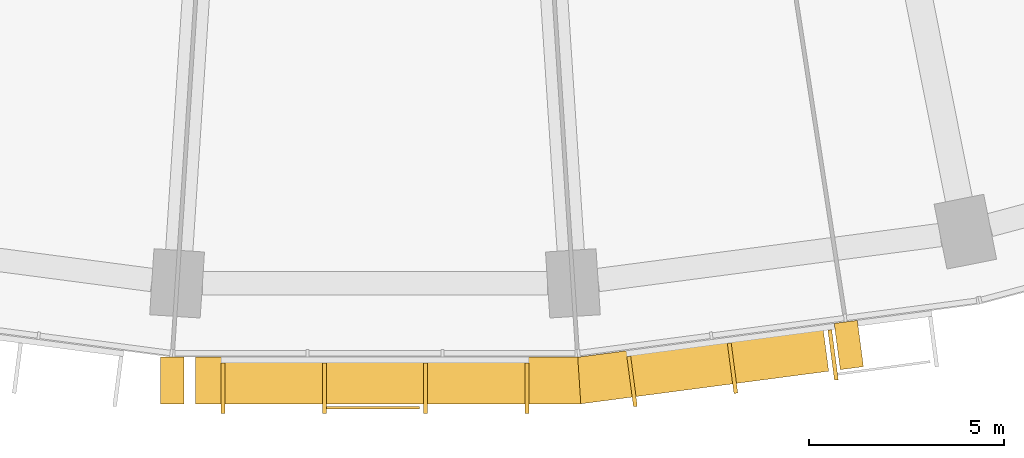
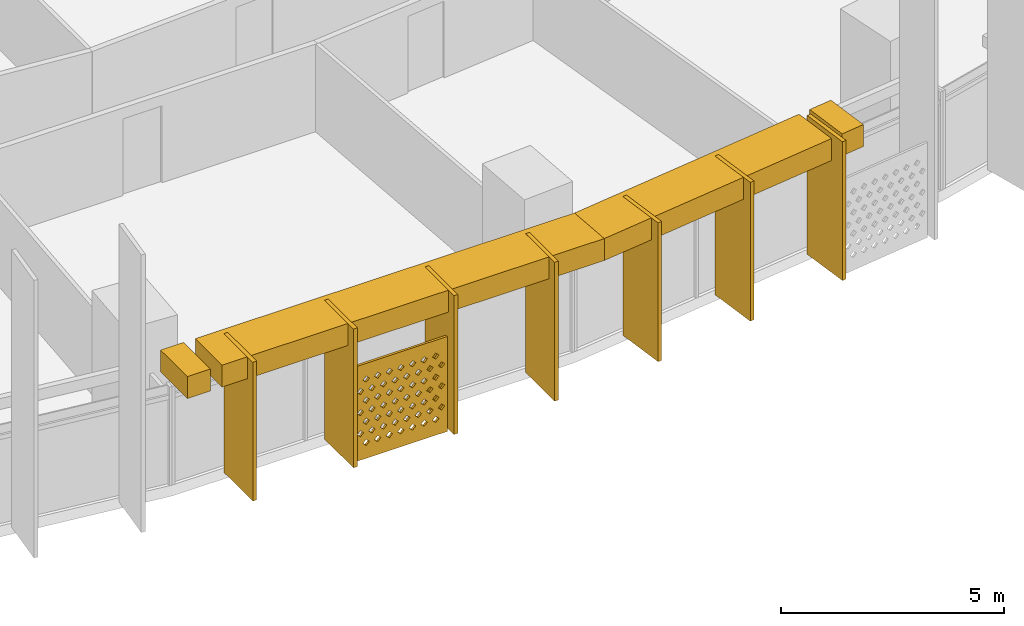
# One storey, part 29 of 32: 12 shading devices.
"""IFC4 building model written with IfcOpenShell, lengths in metres."""

from ifc_helpers import new_model, si_unit, direction, frame, origin, origin_2d, place, context, subcontext, project, spatial, polyline, rectangle, outline, extrude, material, material_profile, profile_set, type_object, element, save


model = new_model("IFC4")

# Units and contexts
model_context = context("Model", 3, precision=1e-05, world=origin(), true_north=direction((0.0, 1.0)))
body_context = subcontext(model_context, "Body", "Model", "MODEL_VIEW")
ifc_project = project(units=[si_unit("LENGTHUNIT", "METRE"), si_unit("AREAUNIT", "SQUARE_METRE"), si_unit("VOLUMEUNIT", "CUBIC_METRE"), si_unit("PLANEANGLEUNIT", "RADIAN"), si_unit("MASSUNIT", "GRAM", prefix="KILO")], contexts=[model_context])

# Site, building, storey
site_placement = place(None, origin())
site = spatial("IfcSite", under=ifc_project, at=site_placement, CompositionType="ELEMENT")
building_placement = place(site_placement, origin())
building = spatial("IfcBuilding", under=site, at=building_placement, Name="Qamariyya Broadcast Tower", CompositionType="ELEMENT")
storey_placement = place(building_placement, frame((0.0, 0.0, 63.300048828125)))
storey = spatial("IfcBuildingStorey", under=building, at=storey_placement, Name="L12", CompositionType="ELEMENT", Elevation=63.300048828125)

# Shading devices
ifc_material_1 = material(Name="Steel S355 powder coated deep red", Category="steel")
shading_device_type_1 = type_object("IfcShadingDeviceType", Name="Deep red frame, powder coated steel box section", PredefinedType="USERDEFINED", material=ifc_material_1)
shading_device_1_placement = place(storey_placement, frame((0.0, 0.0, 3.199951171875)))
element("IfcShadingDevice", 1, at=shading_device_1_placement, inside=storey, type_object=shading_device_type_1, Name="e-frm-B1-F3-posta-L12", ObjectType="FRAME", PredefinedType="USERDEFINED", context=body_context, shape_type="SweptSolid", body=[
    extrude(outline(polyline([(-5.50927734375, -79.4794921875), (-5.50927734375, -80.679443359375), (-4.909423828125, -80.679443359375), (-4.909423828125, -79.4794921875), (-5.50927734375, -79.4794921875)])), origin(), (0.0, 0.0, 1.0), 0.60009765625),
])
shading_device_2_placement = place(storey_placement, frame((0.0, 0.0, 3.199951171875)))
element("IfcShadingDevice", 2, at=shading_device_2_placement, inside=storey, type_object=shading_device_type_1, Name="e-frm-B1-F3-postb-L12", ObjectType="FRAME", PredefinedType="USERDEFINED", context=body_context, shape_type="SweptSolid", body=[
    extrude(outline(polyline([(11.79833984375, -78.612060546875), (11.954833984375, -79.8017578125), (12.5498046875, -79.723388671875), (12.39306640625, -78.53369140625), (11.79833984375, -78.612060546875)])), origin(), (0.0, 0.0, 1.0), 0.60009765625),
])
shading_device_3_placement = place(storey_placement, frame((0.0, 0.0, 3.199951171875)))
element("IfcShadingDevice", 3, at=shading_device_3_placement, inside=storey, type_object=shading_device_type_1, Name="e-frm-B1-F3-bot0", ObjectType="FRAME", PredefinedType="USERDEFINED", context=body_context, shape_type="SweptSolid", body=[
    extrude(outline(polyline([(-4.609375, -79.4794921875), (-4.609375, -80.679443359375), (5.2880859375, -80.679443359375), (5.20947265625, -79.4794921875), (-4.609375, -79.4794921875)])), origin(), (0.0, 0.0, 1.0), 0.60009765625),
])
shading_device_4_placement = place(storey_placement, frame((0.0, 0.0, 3.199951171875)))
element("IfcShadingDevice", 4, at=shading_device_4_placement, inside=storey, type_object=shading_device_type_1, Name="e-frm-B1-F3-bot1", ObjectType="FRAME", PredefinedType="USERDEFINED", context=body_context, shape_type="SweptSolid", body=[
    extrude(outline(polyline([(5.20947265625, -79.4794921875), (5.2880859375, -80.679443359375), (11.657470703125, -79.8408203125), (11.5009765625, -78.651123046875), (5.20947265625, -79.4794921875)])), origin(), (0.0, 0.0, 1.0), 0.60009765625),
])
ifc_material_2 = material(Name="Perforated glazed terracotta", Category="masonry")
ifc_material_profile_1 = material_profile(ifc_material_2, outline(polyline([(-1.199951171875, -1.300048828125), (1.199951171875, -1.300048828125), (1.199951171875, 1.300048828125), (-1.199951171875, 1.300048828125), (-1.199951171875, -1.300048828125)]), holes=[polyline([(-0.81494140625, -0.86669921875), (-0.89990234375, -0.78173828125), (-0.985107421875, -0.86669921875), (-0.89990234375, -0.95166015625), (-0.81494140625, -0.86669921875)]), polyline([(-0.514892578125, -0.86669921875), (-0.60009765625, -0.78173828125), (-0.68505859375, -0.86669921875), (-0.60009765625, -0.95166015625), (-0.514892578125, -0.86669921875)]), polyline([(-0.215087890625, -0.86669921875), (-0.300048828125, -0.78173828125), (-0.385009765625, -0.86669921875), (-0.300048828125, -0.95166015625), (-0.215087890625, -0.86669921875)]), polyline([(0.0849609375, -0.86669921875), (0.0, -0.78173828125), (-0.0849609375, -0.86669921875), (0.0, -0.95166015625), (0.0849609375, -0.86669921875)]), polyline([(0.385009765625, -0.86669921875), (0.300048828125, -0.78173828125), (0.215087890625, -0.86669921875), (0.300048828125, -0.95166015625), (0.385009765625, -0.86669921875)]), polyline([(0.68505859375, -0.86669921875), (0.60009765625, -0.78173828125), (0.514892578125, -0.86669921875), (0.60009765625, -0.95166015625), (0.68505859375, -0.86669921875)]), polyline([(0.985107421875, -0.86669921875), (0.89990234375, -0.78173828125), (0.81494140625, -0.86669921875), (0.89990234375, -0.95166015625), (0.985107421875, -0.86669921875)]), polyline([(-0.965087890625, -0.577880859375), (-1.050048828125, -0.49267578125), (-1.135009765625, -0.577880859375), (-1.050048828125, -0.662841796875), (-0.965087890625, -0.577880859375)]), polyline([(-0.6650390625, -0.577880859375), (-0.75, -0.49267578125), (-0.8349609375, -0.577880859375), (-0.75, -0.662841796875), (-0.6650390625, -0.577880859375)]), polyline([(-0.364990234375, -0.577880859375), (-0.449951171875, -0.49267578125), (-0.534912109375, -0.577880859375), (-0.449951171875, -0.662841796875), (-0.364990234375, -0.577880859375)]), polyline([(-0.06494140625, -0.577880859375), (-0.14990234375, -0.49267578125), (-0.235107421875, -0.577880859375), (-0.14990234375, -0.662841796875), (-0.06494140625, -0.577880859375)]), polyline([(0.235107421875, -0.577880859375), (0.14990234375, -0.49267578125), (0.06494140625, -0.577880859375), (0.14990234375, -0.662841796875), (0.235107421875, -0.577880859375)]), polyline([(0.534912109375, -0.577880859375), (0.449951171875, -0.49267578125), (0.364990234375, -0.577880859375), (0.449951171875, -0.662841796875), (0.534912109375, -0.577880859375)]), polyline([(0.8349609375, -0.577880859375), (0.75, -0.49267578125), (0.6650390625, -0.577880859375), (0.75, -0.662841796875), (0.8349609375, -0.577880859375)]), polyline([(1.135009765625, -0.577880859375), (1.050048828125, -0.49267578125), (0.965087890625, -0.577880859375), (1.050048828125, -0.662841796875), (1.135009765625, -0.577880859375)]), polyline([(-0.81494140625, -0.288818359375), (-0.89990234375, -0.203857421875), (-0.985107421875, -0.288818359375), (-0.89990234375, -0.373779296875), (-0.81494140625, -0.288818359375)]), polyline([(-0.514892578125, -0.288818359375), (-0.60009765625, -0.203857421875), (-0.68505859375, -0.288818359375), (-0.60009765625, -0.373779296875), (-0.514892578125, -0.288818359375)]), polyline([(-0.215087890625, -0.288818359375), (-0.300048828125, -0.203857421875), (-0.385009765625, -0.288818359375), (-0.300048828125, -0.373779296875), (-0.215087890625, -0.288818359375)]), polyline([(0.0849609375, -0.288818359375), (0.0, -0.203857421875), (-0.0849609375, -0.288818359375), (0.0, -0.373779296875), (0.0849609375, -0.288818359375)]), polyline([(0.385009765625, -0.288818359375), (0.300048828125, -0.203857421875), (0.215087890625, -0.288818359375), (0.300048828125, -0.373779296875), (0.385009765625, -0.288818359375)]), polyline([(0.68505859375, -0.288818359375), (0.60009765625, -0.203857421875), (0.514892578125, -0.288818359375), (0.60009765625, -0.373779296875), (0.68505859375, -0.288818359375)]), polyline([(0.985107421875, -0.288818359375), (0.89990234375, -0.203857421875), (0.81494140625, -0.288818359375), (0.89990234375, -0.373779296875), (0.985107421875, -0.288818359375)]), polyline([(-0.965087890625, 0.0), (-1.050048828125, 0.0849609375), (-1.135009765625, 0.0), (-1.050048828125, -0.0849609375), (-0.965087890625, 0.0)]), polyline([(-0.6650390625, 0.0), (-0.75, 0.0849609375), (-0.8349609375, 0.0), (-0.75, -0.0849609375), (-0.6650390625, 0.0)]), polyline([(-0.364990234375, 0.0), (-0.449951171875, 0.0849609375), (-0.534912109375, 0.0), (-0.449951171875, -0.0849609375), (-0.364990234375, 0.0)]), polyline([(-0.06494140625, 0.0), (-0.14990234375, 0.0849609375), (-0.235107421875, 0.0), (-0.14990234375, -0.0849609375), (-0.06494140625, 0.0)]), polyline([(0.235107421875, 0.0), (0.14990234375, 0.0849609375), (0.06494140625, 0.0), (0.14990234375, -0.0849609375), (0.235107421875, 0.0)]), polyline([(0.534912109375, 0.0), (0.449951171875, 0.0849609375), (0.364990234375, 0.0), (0.449951171875, -0.0849609375), (0.534912109375, 0.0)]), polyline([(0.8349609375, 0.0), (0.75, 0.0849609375), (0.6650390625, 0.0), (0.75, -0.0849609375), (0.8349609375, 0.0)]), polyline([(1.135009765625, 0.0), (1.050048828125, 0.0849609375), (0.965087890625, 0.0), (1.050048828125, -0.0849609375), (1.135009765625, 0.0)]), polyline([(-0.81494140625, 0.288818359375), (-0.89990234375, 0.373779296875), (-0.985107421875, 0.288818359375), (-0.89990234375, 0.203857421875), (-0.81494140625, 0.288818359375)]), polyline([(-0.514892578125, 0.288818359375), (-0.60009765625, 0.373779296875), (-0.68505859375, 0.288818359375), (-0.60009765625, 0.203857421875), (-0.514892578125, 0.288818359375)]), polyline([(-0.215087890625, 0.288818359375), (-0.300048828125, 0.373779296875), (-0.385009765625, 0.288818359375), (-0.300048828125, 0.203857421875), (-0.215087890625, 0.288818359375)]), polyline([(0.0849609375, 0.288818359375), (0.0, 0.373779296875), (-0.0849609375, 0.288818359375), (0.0, 0.203857421875), (0.0849609375, 0.288818359375)]), polyline([(0.385009765625, 0.288818359375), (0.300048828125, 0.373779296875), (0.215087890625, 0.288818359375), (0.300048828125, 0.203857421875), (0.385009765625, 0.288818359375)]), polyline([(0.68505859375, 0.288818359375), (0.60009765625, 0.373779296875), (0.514892578125, 0.288818359375), (0.60009765625, 0.203857421875), (0.68505859375, 0.288818359375)]), polyline([(0.985107421875, 0.288818359375), (0.89990234375, 0.373779296875), (0.81494140625, 0.288818359375), (0.89990234375, 0.203857421875), (0.985107421875, 0.288818359375)]), polyline([(-0.965087890625, 0.577880859375), (-1.050048828125, 0.662841796875), (-1.135009765625, 0.577880859375), (-1.050048828125, 0.49267578125), (-0.965087890625, 0.577880859375)]), polyline([(-0.6650390625, 0.577880859375), (-0.75, 0.662841796875), (-0.8349609375, 0.577880859375), (-0.75, 0.49267578125), (-0.6650390625, 0.577880859375)]), polyline([(-0.364990234375, 0.577880859375), (-0.449951171875, 0.662841796875), (-0.534912109375, 0.577880859375), (-0.449951171875, 0.49267578125), (-0.364990234375, 0.577880859375)]), polyline([(-0.06494140625, 0.577880859375), (-0.14990234375, 0.662841796875), (-0.235107421875, 0.577880859375), (-0.14990234375, 0.49267578125), (-0.06494140625, 0.577880859375)]), polyline([(0.235107421875, 0.577880859375), (0.14990234375, 0.662841796875), (0.06494140625, 0.577880859375), (0.14990234375, 0.49267578125), (0.235107421875, 0.577880859375)]), polyline([(0.534912109375, 0.577880859375), (0.449951171875, 0.662841796875), (0.364990234375, 0.577880859375), (0.449951171875, 0.49267578125), (0.534912109375, 0.577880859375)]), polyline([(0.8349609375, 0.577880859375), (0.75, 0.662841796875), (0.6650390625, 0.577880859375), (0.75, 0.49267578125), (0.8349609375, 0.577880859375)]), polyline([(1.135009765625, 0.577880859375), (1.050048828125, 0.662841796875), (0.965087890625, 0.577880859375), (1.050048828125, 0.49267578125), (1.135009765625, 0.577880859375)]), polyline([(-0.81494140625, 0.86669921875), (-0.89990234375, 0.95166015625), (-0.985107421875, 0.86669921875), (-0.89990234375, 0.78173828125), (-0.81494140625, 0.86669921875)]), polyline([(-0.514892578125, 0.86669921875), (-0.60009765625, 0.95166015625), (-0.68505859375, 0.86669921875), (-0.60009765625, 0.78173828125), (-0.514892578125, 0.86669921875)]), polyline([(-0.215087890625, 0.86669921875), (-0.300048828125, 0.95166015625), (-0.385009765625, 0.86669921875), (-0.300048828125, 0.78173828125), (-0.215087890625, 0.86669921875)]), polyline([(0.0849609375, 0.86669921875), (0.0, 0.95166015625), (-0.0849609375, 0.86669921875), (0.0, 0.78173828125), (0.0849609375, 0.86669921875)]), polyline([(0.385009765625, 0.86669921875), (0.300048828125, 0.95166015625), (0.215087890625, 0.86669921875), (0.300048828125, 0.78173828125), (0.385009765625, 0.86669921875)]), polyline([(0.68505859375, 0.86669921875), (0.60009765625, 0.95166015625), (0.514892578125, 0.86669921875), (0.60009765625, 0.78173828125), (0.68505859375, 0.86669921875)]), polyline([(0.985107421875, 0.86669921875), (0.89990234375, 0.95166015625), (0.81494140625, 0.86669921875), (0.89990234375, 0.78173828125), (0.985107421875, 0.86669921875)])]))
ifc_profile_set_1 = profile_set([ifc_material_profile_1], Name="Perforated glazed terracotta")
shading_device_type_2 = type_object("IfcShadingDeviceType", Name="Perforated terracotta screen 2400 x 2600", PredefinedType="USERDEFINED", material=ifc_profile_set_1)
shading_device_5_placement = place(storey_placement, frame((-0.05224609375, -80.74951171875, 1.349853515625), z_axis=(0.0, -1.0, 0.0), x_axis=(1.0, 0.0, 0.0)))
element("IfcShadingDevice", 5, at=shading_device_5_placement, inside=storey, type_object=shading_device_type_2, Name="e-scr-L12-08-1", ObjectType="SCREEN", PredefinedType="USERDEFINED", context=body_context, shape_type="SweptSolid", body=[
    extrude(outline(polyline([(-1.199951171875, -1.300048828125), (1.199951171875, -1.300048828125), (1.199951171875, 1.300048828125), (-1.199951171875, 1.300048828125), (-1.199951171875, -1.300048828125)]), holes=[polyline([(-0.81494140625, -0.86669921875), (-0.89990234375, -0.78173828125), (-0.985107421875, -0.86669921875), (-0.89990234375, -0.95166015625), (-0.81494140625, -0.86669921875)]), polyline([(-0.514892578125, -0.86669921875), (-0.60009765625, -0.78173828125), (-0.68505859375, -0.86669921875), (-0.60009765625, -0.95166015625), (-0.514892578125, -0.86669921875)]), polyline([(-0.215087890625, -0.86669921875), (-0.300048828125, -0.78173828125), (-0.385009765625, -0.86669921875), (-0.300048828125, -0.95166015625), (-0.215087890625, -0.86669921875)]), polyline([(0.0849609375, -0.86669921875), (0.0, -0.78173828125), (-0.0849609375, -0.86669921875), (0.0, -0.95166015625), (0.0849609375, -0.86669921875)]), polyline([(0.385009765625, -0.86669921875), (0.300048828125, -0.78173828125), (0.215087890625, -0.86669921875), (0.300048828125, -0.95166015625), (0.385009765625, -0.86669921875)]), polyline([(0.68505859375, -0.86669921875), (0.60009765625, -0.78173828125), (0.514892578125, -0.86669921875), (0.60009765625, -0.95166015625), (0.68505859375, -0.86669921875)]), polyline([(0.985107421875, -0.86669921875), (0.89990234375, -0.78173828125), (0.81494140625, -0.86669921875), (0.89990234375, -0.95166015625), (0.985107421875, -0.86669921875)]), polyline([(-0.965087890625, -0.577880859375), (-1.050048828125, -0.49267578125), (-1.135009765625, -0.577880859375), (-1.050048828125, -0.662841796875), (-0.965087890625, -0.577880859375)]), polyline([(-0.6650390625, -0.577880859375), (-0.75, -0.49267578125), (-0.8349609375, -0.577880859375), (-0.75, -0.662841796875), (-0.6650390625, -0.577880859375)]), polyline([(-0.364990234375, -0.577880859375), (-0.449951171875, -0.49267578125), (-0.534912109375, -0.577880859375), (-0.449951171875, -0.662841796875), (-0.364990234375, -0.577880859375)]), polyline([(-0.06494140625, -0.577880859375), (-0.14990234375, -0.49267578125), (-0.235107421875, -0.577880859375), (-0.14990234375, -0.662841796875), (-0.06494140625, -0.577880859375)]), polyline([(0.235107421875, -0.577880859375), (0.14990234375, -0.49267578125), (0.06494140625, -0.577880859375), (0.14990234375, -0.662841796875), (0.235107421875, -0.577880859375)]), polyline([(0.534912109375, -0.577880859375), (0.449951171875, -0.49267578125), (0.364990234375, -0.577880859375), (0.449951171875, -0.662841796875), (0.534912109375, -0.577880859375)]), polyline([(0.8349609375, -0.577880859375), (0.75, -0.49267578125), (0.6650390625, -0.577880859375), (0.75, -0.662841796875), (0.8349609375, -0.577880859375)]), polyline([(1.135009765625, -0.577880859375), (1.050048828125, -0.49267578125), (0.965087890625, -0.577880859375), (1.050048828125, -0.662841796875), (1.135009765625, -0.577880859375)]), polyline([(-0.81494140625, -0.288818359375), (-0.89990234375, -0.203857421875), (-0.985107421875, -0.288818359375), (-0.89990234375, -0.373779296875), (-0.81494140625, -0.288818359375)]), polyline([(-0.514892578125, -0.288818359375), (-0.60009765625, -0.203857421875), (-0.68505859375, -0.288818359375), (-0.60009765625, -0.373779296875), (-0.514892578125, -0.288818359375)]), polyline([(-0.215087890625, -0.288818359375), (-0.300048828125, -0.203857421875), (-0.385009765625, -0.288818359375), (-0.300048828125, -0.373779296875), (-0.215087890625, -0.288818359375)]), polyline([(0.0849609375, -0.288818359375), (0.0, -0.203857421875), (-0.0849609375, -0.288818359375), (0.0, -0.373779296875), (0.0849609375, -0.288818359375)]), polyline([(0.385009765625, -0.288818359375), (0.300048828125, -0.203857421875), (0.215087890625, -0.288818359375), (0.300048828125, -0.373779296875), (0.385009765625, -0.288818359375)]), polyline([(0.68505859375, -0.288818359375), (0.60009765625, -0.203857421875), (0.514892578125, -0.288818359375), (0.60009765625, -0.373779296875), (0.68505859375, -0.288818359375)]), polyline([(0.985107421875, -0.288818359375), (0.89990234375, -0.203857421875), (0.81494140625, -0.288818359375), (0.89990234375, -0.373779296875), (0.985107421875, -0.288818359375)]), polyline([(-0.965087890625, 0.0), (-1.050048828125, 0.0849609375), (-1.135009765625, 0.0), (-1.050048828125, -0.0849609375), (-0.965087890625, 0.0)]), polyline([(-0.6650390625, 0.0), (-0.75, 0.0849609375), (-0.8349609375, 0.0), (-0.75, -0.0849609375), (-0.6650390625, 0.0)]), polyline([(-0.364990234375, 0.0), (-0.449951171875, 0.0849609375), (-0.534912109375, 0.0), (-0.449951171875, -0.0849609375), (-0.364990234375, 0.0)]), polyline([(-0.06494140625, 0.0), (-0.14990234375, 0.0849609375), (-0.235107421875, 0.0), (-0.14990234375, -0.0849609375), (-0.06494140625, 0.0)]), polyline([(0.235107421875, 0.0), (0.14990234375, 0.0849609375), (0.06494140625, 0.0), (0.14990234375, -0.0849609375), (0.235107421875, 0.0)]), polyline([(0.534912109375, 0.0), (0.449951171875, 0.0849609375), (0.364990234375, 0.0), (0.449951171875, -0.0849609375), (0.534912109375, 0.0)]), polyline([(0.8349609375, 0.0), (0.75, 0.0849609375), (0.6650390625, 0.0), (0.75, -0.0849609375), (0.8349609375, 0.0)]), polyline([(1.135009765625, 0.0), (1.050048828125, 0.0849609375), (0.965087890625, 0.0), (1.050048828125, -0.0849609375), (1.135009765625, 0.0)]), polyline([(-0.81494140625, 0.288818359375), (-0.89990234375, 0.373779296875), (-0.985107421875, 0.288818359375), (-0.89990234375, 0.203857421875), (-0.81494140625, 0.288818359375)]), polyline([(-0.514892578125, 0.288818359375), (-0.60009765625, 0.373779296875), (-0.68505859375, 0.288818359375), (-0.60009765625, 0.203857421875), (-0.514892578125, 0.288818359375)]), polyline([(-0.215087890625, 0.288818359375), (-0.300048828125, 0.373779296875), (-0.385009765625, 0.288818359375), (-0.300048828125, 0.203857421875), (-0.215087890625, 0.288818359375)]), polyline([(0.0849609375, 0.288818359375), (0.0, 0.373779296875), (-0.0849609375, 0.288818359375), (0.0, 0.203857421875), (0.0849609375, 0.288818359375)]), polyline([(0.385009765625, 0.288818359375), (0.300048828125, 0.373779296875), (0.215087890625, 0.288818359375), (0.300048828125, 0.203857421875), (0.385009765625, 0.288818359375)]), polyline([(0.68505859375, 0.288818359375), (0.60009765625, 0.373779296875), (0.514892578125, 0.288818359375), (0.60009765625, 0.203857421875), (0.68505859375, 0.288818359375)]), polyline([(0.985107421875, 0.288818359375), (0.89990234375, 0.373779296875), (0.81494140625, 0.288818359375), (0.89990234375, 0.203857421875), (0.985107421875, 0.288818359375)]), polyline([(-0.965087890625, 0.577880859375), (-1.050048828125, 0.662841796875), (-1.135009765625, 0.577880859375), (-1.050048828125, 0.49267578125), (-0.965087890625, 0.577880859375)]), polyline([(-0.6650390625, 0.577880859375), (-0.75, 0.662841796875), (-0.8349609375, 0.577880859375), (-0.75, 0.49267578125), (-0.6650390625, 0.577880859375)]), polyline([(-0.364990234375, 0.577880859375), (-0.449951171875, 0.662841796875), (-0.534912109375, 0.577880859375), (-0.449951171875, 0.49267578125), (-0.364990234375, 0.577880859375)]), polyline([(-0.06494140625, 0.577880859375), (-0.14990234375, 0.662841796875), (-0.235107421875, 0.577880859375), (-0.14990234375, 0.49267578125), (-0.06494140625, 0.577880859375)]), polyline([(0.235107421875, 0.577880859375), (0.14990234375, 0.662841796875), (0.06494140625, 0.577880859375), (0.14990234375, 0.49267578125), (0.235107421875, 0.577880859375)]), polyline([(0.534912109375, 0.577880859375), (0.449951171875, 0.662841796875), (0.364990234375, 0.577880859375), (0.449951171875, 0.49267578125), (0.534912109375, 0.577880859375)]), polyline([(0.8349609375, 0.577880859375), (0.75, 0.662841796875), (0.6650390625, 0.577880859375), (0.75, 0.49267578125), (0.8349609375, 0.577880859375)]), polyline([(1.135009765625, 0.577880859375), (1.050048828125, 0.662841796875), (0.965087890625, 0.577880859375), (1.050048828125, 0.49267578125), (1.135009765625, 0.577880859375)]), polyline([(-0.81494140625, 0.86669921875), (-0.89990234375, 0.95166015625), (-0.985107421875, 0.86669921875), (-0.89990234375, 0.78173828125), (-0.81494140625, 0.86669921875)]), polyline([(-0.514892578125, 0.86669921875), (-0.60009765625, 0.95166015625), (-0.68505859375, 0.86669921875), (-0.60009765625, 0.78173828125), (-0.514892578125, 0.86669921875)]), polyline([(-0.215087890625, 0.86669921875), (-0.300048828125, 0.95166015625), (-0.385009765625, 0.86669921875), (-0.300048828125, 0.78173828125), (-0.215087890625, 0.86669921875)]), polyline([(0.0849609375, 0.86669921875), (0.0, 0.95166015625), (-0.0849609375, 0.86669921875), (0.0, 0.78173828125), (0.0849609375, 0.86669921875)]), polyline([(0.385009765625, 0.86669921875), (0.300048828125, 0.95166015625), (0.215087890625, 0.86669921875), (0.300048828125, 0.78173828125), (0.385009765625, 0.86669921875)]), polyline([(0.68505859375, 0.86669921875), (0.60009765625, 0.95166015625), (0.514892578125, 0.86669921875), (0.60009765625, 0.78173828125), (0.68505859375, 0.86669921875)]), polyline([(0.985107421875, 0.86669921875), (0.89990234375, 0.95166015625), (0.81494140625, 0.86669921875), (0.89990234375, 0.78173828125), (0.985107421875, 0.86669921875)])]), origin(), (0.0, 0.0, 1.0), 0.06005859375),
])
ifc_material_3 = material(Name="Glazed terracotta", Category="masonry")
ifc_material_profile_2 = material_profile(ifc_material_3, rectangle(XDim=1.300048828125, YDim=0.10009765625, at=origin_2d()))
ifc_profile_set_2 = profile_set([ifc_material_profile_2], Name="Glazed terracotta")
shading_device_type_3 = type_object("IfcShadingDeviceType", Name="Terracotta fin 100 x 1300", PredefinedType="USERDEFINED", material=ifc_profile_set_2)
for number, where, z_axis, x_axis, name in (
    (6, (-3.906982421875, -80.279541015625, 0.0), (0.0, 0.0, 1.0), (0.0, -1.0, 0.0), "e-fin-L12-08-0"),
    (7, (-1.30224609375, -80.279541015625, 0.0), (0.0, 0.0, 1.0), (0.0, -1.0, 0.0), "e-fin-L12-08-1"),
    (8, (1.30224609375, -80.279541015625, 0.0), (0.0, 0.0, 1.0), (0.0, -1.0, 0.0), "e-fin-L12-08-2"),
    (9, (3.906982421875, -80.279541015625, 0.0), (0.0, 0.0, 1.0), (0.0, -1.0, 0.0), "e-fin-L12-08-3"),
    (10, (6.60498046875, -80.1025390625, 0.0), (0.0, 0.0, 1.0), (0.13052619222, -0.991444861374, 0.0), "e-fin-L12-09-0"),
    (11, (9.187255859375, -79.7626953125, 0.0), (0.0, 0.0, 1.0), (0.13052619222, -0.991444861374, 0.0), "e-fin-L12-09-1"),
    (12, (11.769775390625, -79.422607421875, 0.0), (0.0, 0.0, 1.0), (0.13052619222, -0.991444861374, 0.0), "e-fin-L12-09-2"),
):
    element("IfcShadingDevice", number, at=place(storey_placement, frame(where, z_axis=z_axis, x_axis=x_axis)), inside=storey, type_object=shading_device_type_3, Name=name, ObjectType="FIN", PredefinedType="USERDEFINED", context=body_context, shape_type="SweptSolid", body=[
        extrude(rectangle(XDim=1.300048828125, YDim=0.10009765625, at=origin_2d()), origin(), (0.0, 0.0, 1.0), 3.800048828125),
    ])

save(model, "model.ifc")
